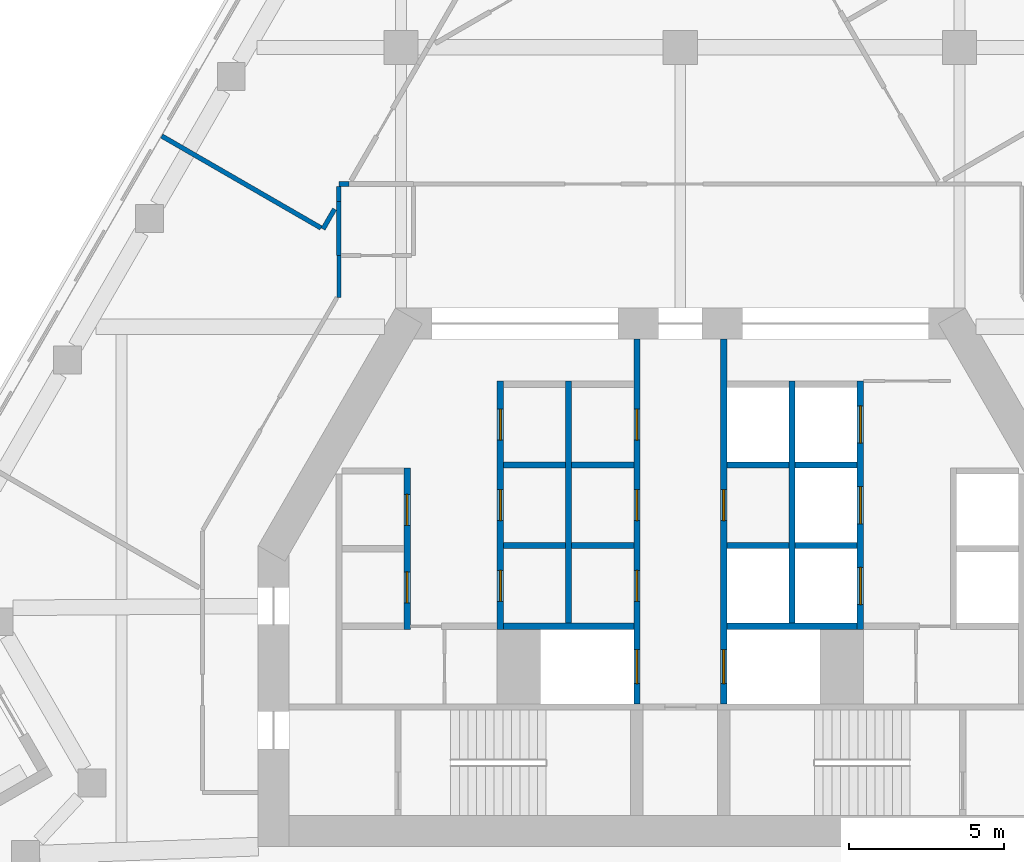
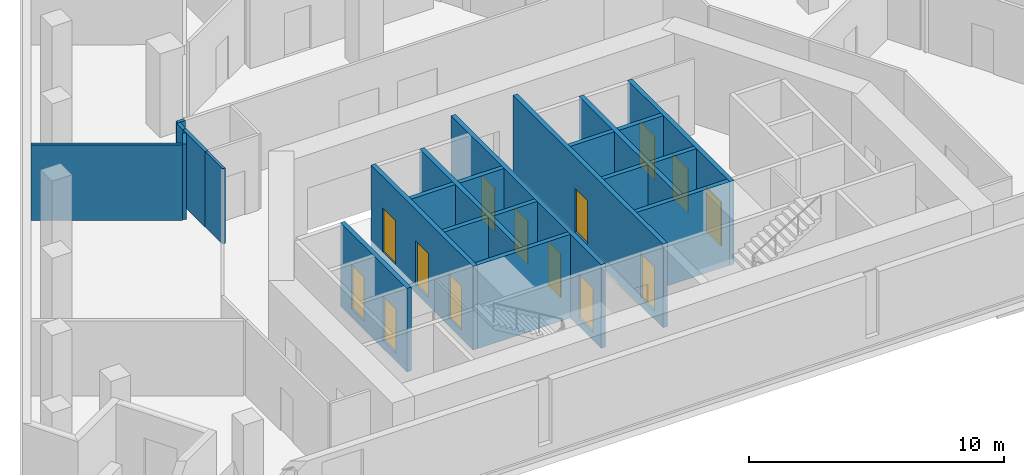
# One storey, part 3 of 8: 23 walls, 14 doors, 14 openings.
"""IFC4 building model written with IfcOpenShell, lengths in metres."""

from ifc_helpers import new_model, si_unit, direction, frame, frame_2d, origin, place, context, subcontext, project, spatial, rectangle, extrude, material, layer, layer_set, type_object, element, fill, save


model = new_model("IFC4")

# Units and contexts
model_context = context("Model", 3, precision=1e-05, world=origin(), true_north=direction((0.0, 1.0)))
body_context = subcontext(model_context, "Body", "Model", "MODEL_VIEW")
ifc_project = project(units=[si_unit("LENGTHUNIT", "METRE"), si_unit("AREAUNIT", "SQUARE_METRE"), si_unit("VOLUMEUNIT", "CUBIC_METRE"), si_unit("PLANEANGLEUNIT", "RADIAN"), si_unit("MASSUNIT", "GRAM", prefix="KILO")], contexts=[model_context])

# Site, building, storey
site_placement = place(None, origin())
site = spatial("IfcSite", under=ifc_project, at=site_placement, CompositionType="ELEMENT")
building_placement = place(site_placement, origin())
building = spatial("IfcBuilding", under=site, at=building_placement, Name="Fogline Exchange Tower", CompositionType="ELEMENT")
storey_placement = place(building_placement, frame((0.0, 0.0, 243.5)))
storey = spatial("IfcBuildingStorey", under=building, at=storey_placement, Name="L55", CompositionType="ELEMENT", Elevation=243.5)

# Walls
ifc_material_1 = material(Name="Concrete C40", Category="concrete")
ifc_layer_1 = layer(ifc_material_1, 0.199951171875)
ifc_layer_set_1 = layer_set([ifc_layer_1], Name="CW20")
wall_type_1 = type_object("IfcWallType", Name="CW20", PredefinedType="SOLIDWALL", material=ifc_layer_set_1)
for number, where, z_axis, x_axis, name in (
    (1, (-5.699951171875, 10.949951171875, 0.0), (0.0, 0.0, 1.0), (1.0, 0.0, 0.0), "Service room wall"),
    (2, (-5.699951171875, 13.550048828125, 0.0), (0.0, 0.0, 1.0), (1.0, 0.0, 0.0), "Service room wall"),
    (3, (-3.5, 10.949951171875, 0.0), (0.0, 0.0, 1.0), (1.0, 0.0, 0.0), "Service room wall"),
    (4, (-3.5, 13.550048828125, 0.0), (0.0, 0.0, 1.0), (1.0, 0.0, 0.0), "Service room wall"),
):
    element("IfcWall", number, at=place(storey_placement, frame(where, z_axis=z_axis, x_axis=x_axis)), inside=storey, type_object=wall_type_1, Name=name, PredefinedType="SOLIDWALL", context=body_context, shape_type="SweptSolid", body=[
        extrude(rectangle(XDim=2.0, YDim=0.199951171875, at=frame_2d((1.0, 0.0))), origin(), (0.0, 0.0, 1.0), 3.60009765625),
    ])

# Wall, openings, doors
ifc_layer_2 = layer(ifc_material_1, 0.199951171875)
ifc_layer_set_2 = layer_set([ifc_layer_2], Name="CW20S")
wall_type_2 = type_object("IfcWallType", Name="CW20S", PredefinedType="SOLIDWALL", material=ifc_layer_set_2)
wall_1_placement = place(storey_placement, frame((-8.800048828125, 8.25, -0.39990234375), z_axis=(0.0, 0.0, 1.0), x_axis=(0.0, 1.0, 0.0)))
wall_1 = element("IfcWall", 5, at=wall_1_placement, inside=storey, type_object=wall_type_2, Name="Lift shaft wall", PredefinedType="SOLIDWALL", context=body_context, shape_type="SweptSolid", body=[
    extrude(rectangle(XDim=5.199951171875, YDim=0.199951171875, at=frame_2d((2.60009765625, 0.0))), origin(), (0.0, 0.0, 1.0), 4.0),
])
opening_1_placement = place(wall_1_placement, frame((0.85009765625, 0.0, 0.39990234375)))
opening_1 = element("IfcOpeningElement", 6, at=opening_1_placement, cuts=wall_1, Name="Opening T17-C001", PredefinedType="OPENING", context=body_context, shape_type="SweptSolid", body=[
    extrude(rectangle(XDim=1.0, YDim=2.10009765625, at=frame_2d((0.5, 1.050048828125))), frame((0.0, 0.10986328125, 0.0), z_axis=(0.0, -1.0, 0.0), x_axis=(1.0, 0.0, 0.0)), (0.0, 0.0, 1.0), 0.219970703125),
])
opening_2_placement = place(wall_1_placement, frame((3.35009765625, 0.0, 0.39990234375)))
opening_2 = element("IfcOpeningElement", 7, at=opening_2_placement, cuts=wall_1, Name="Opening T17-C002", PredefinedType="OPENING", context=body_context, shape_type="SweptSolid", body=[
    extrude(rectangle(XDim=1.0, YDim=2.10009765625, at=frame_2d((0.5, 1.050048828125))), frame((0.0, 0.10986328125, 0.0), z_axis=(0.0, -1.0, 0.0), x_axis=(1.0, 0.0, 0.0)), (0.0, 0.0, 1.0), 0.219970703125),
])
ifc_material_2 = material(Name="Steel and timber fire door", Category="steel")
door_type_1 = type_object("IfcDoorType", Name="D-RM1", OperationType="SINGLE_SWING_LEFT", PredefinedType="DOOR", material=ifc_material_2)
door_1_placement = place(opening_1_placement, origin())
door_1 = element("IfcDoor", 8, at=door_1_placement, inside=storey, type_object=door_type_1, Name="Door to Archive Store", OperationType="SINGLE_SWING_RIGHT", OverallHeight=2.10009765625, OverallWidth=1.0, PredefinedType="DOOR", context=body_context, shape_type="SweptSolid", body=[
    extrude(rectangle(XDim=1.0, YDim=2.10009765625, at=frame_2d((0.5, 1.050048828125))), frame((0.0, 0.02490234375, 0.0), z_axis=(0.0, -1.0, 0.0), x_axis=(1.0, 0.0, 0.0)), (0.0, 0.0, 1.0), 0.050048828125),
])
fill(opening_1, door_1)
door_2_placement = place(opening_2_placement, origin())
door_2 = element("IfcDoor", 9, at=door_2_placement, inside=storey, type_object=door_type_1, Name="Door to Library Store", OperationType="SINGLE_SWING_RIGHT", OverallHeight=2.10009765625, OverallWidth=1.0, PredefinedType="DOOR", context=body_context, shape_type="SweptSolid", body=[
    extrude(rectangle(XDim=1.0, YDim=2.10009765625, at=frame_2d((0.5, 1.050048828125))), frame((0.0, 0.02490234375, 0.0), z_axis=(0.0, -1.0, 0.0), x_axis=(1.0, 0.0, 0.0)), (0.0, 0.0, 1.0), 0.050048828125),
])
fill(opening_2, door_2)

wall_2_placement = place(storey_placement, frame((-5.800048828125, 8.25, -0.39990234375), z_axis=(0.0, 0.0, 1.0), x_axis=(0.0, 1.0, 0.0)))
wall_2 = element("IfcWall", 10, at=wall_2_placement, inside=storey, type_object=wall_type_2, Name="Lift shaft wall", PredefinedType="SOLIDWALL", context=body_context, shape_type="SweptSolid", body=[
    extrude(rectangle(XDim=8.0, YDim=0.199951171875, at=frame_2d((4.0, 0.0))), origin(), (0.0, 0.0, 1.0), 4.0),
])
opening_3_placement = place(wall_2_placement, frame((0.89990234375, 0.0, 0.39990234375)))
opening_3 = element("IfcOpeningElement", 11, at=opening_3_placement, cuts=wall_2, Name="Opening T17-C003", PredefinedType="OPENING", context=body_context, shape_type="SweptSolid", body=[
    extrude(rectangle(XDim=1.0, YDim=2.10009765625, at=frame_2d((0.5, 1.050048828125))), frame((0.0, 0.10986328125, 0.0), z_axis=(0.0, -1.0, 0.0), x_axis=(1.0, 0.0, 0.0)), (0.0, 0.0, 1.0), 0.219970703125),
])
opening_4_placement = place(wall_2_placement, frame((3.5, 0.0, 0.39990234375)))
opening_4 = element("IfcOpeningElement", 12, at=opening_4_placement, cuts=wall_2, Name="Opening T17-C004", PredefinedType="OPENING", context=body_context, shape_type="SweptSolid", body=[
    extrude(rectangle(XDim=1.0, YDim=2.10009765625, at=frame_2d((0.5, 1.050048828125))), frame((0.0, 0.10986328125, 0.0), z_axis=(0.0, -1.0, 0.0), x_axis=(1.0, 0.0, 0.0)), (0.0, 0.0, 1.0), 0.219970703125),
])
opening_5_placement = place(wall_2_placement, frame((6.10009765625, 0.0, 0.39990234375)))
opening_5 = element("IfcOpeningElement", 13, at=opening_5_placement, cuts=wall_2, Name="Opening T17-C005", PredefinedType="OPENING", context=body_context, shape_type="SweptSolid", body=[
    extrude(rectangle(XDim=1.0, YDim=2.10009765625, at=frame_2d((0.5, 1.050048828125))), frame((0.0, 0.10986328125, 0.0), z_axis=(0.0, -1.0, 0.0), x_axis=(1.0, 0.0, 0.0)), (0.0, 0.0, 1.0), 0.219970703125),
])
door_3_placement = place(opening_3_placement, frame((1.0, 0.0, 0.0), z_axis=(0.0, 0.0, 1.0), x_axis=(-1.0, 0.0, 0.0)))
door_3 = element("IfcDoor", 14, at=door_3_placement, inside=storey, type_object=door_type_1, Name="Door to Stationery Store", OperationType="SINGLE_SWING_LEFT", OverallHeight=2.10009765625, OverallWidth=1.0, PredefinedType="DOOR", context=body_context, shape_type="SweptSolid", body=[
    extrude(rectangle(XDim=1.0, YDim=2.10009765625, at=frame_2d((0.5, 1.050048828125))), frame((0.0, 0.02490234375, 0.0), z_axis=(0.0, -1.0, 0.0), x_axis=(1.0, 0.0, 0.0)), (0.0, 0.0, 1.0), 0.050048828125),
])
fill(opening_3, door_3)
door_4_placement = place(opening_4_placement, frame((1.0, 0.0, 0.0), z_axis=(0.0, 0.0, 1.0), x_axis=(-1.0, 0.0, 0.0)))
door_4 = element("IfcDoor", 15, at=door_4_placement, inside=storey, type_object=door_type_1, Name="Door to Records Store", OperationType="SINGLE_SWING_RIGHT", OverallHeight=2.10009765625, OverallWidth=1.0, PredefinedType="DOOR", context=body_context, shape_type="SweptSolid", body=[
    extrude(rectangle(XDim=1.0, YDim=2.10009765625, at=frame_2d((0.5, 1.050048828125))), frame((0.0, 0.02490234375, 0.0), z_axis=(0.0, -1.0, 0.0), x_axis=(1.0, 0.0, 0.0)), (0.0, 0.0, 1.0), 0.050048828125),
])
fill(opening_4, door_4)
door_5_placement = place(opening_5_placement, frame((1.0, 0.0, 0.0), z_axis=(0.0, 0.0, 1.0), x_axis=(-1.0, 0.0, 0.0)))
door_5 = element("IfcDoor", 16, at=door_5_placement, inside=storey, type_object=door_type_1, Name="Door to Riser Room", OperationType="SINGLE_SWING_RIGHT", OverallHeight=2.10009765625, OverallWidth=1.0, PredefinedType="DOOR", context=body_context, shape_type="SweptSolid", body=[
    extrude(rectangle(XDim=1.0, YDim=2.10009765625, at=frame_2d((0.5, 1.050048828125))), frame((0.0, 0.02490234375, 0.0), z_axis=(0.0, -1.0, 0.0), x_axis=(1.0, 0.0, 0.0)), (0.0, 0.0, 1.0), 0.050048828125),
])
fill(opening_5, door_5)

wall_3_placement = place(storey_placement, frame((5.800048828125, 8.25, -0.39990234375), z_axis=(0.0, 0.0, 1.0), x_axis=(0.0, 1.0, 0.0)))
wall_3 = element("IfcWall", 17, at=wall_3_placement, inside=storey, type_object=wall_type_2, Name="Lift shaft wall", PredefinedType="SOLIDWALL", context=body_context, shape_type="SweptSolid", body=[
    extrude(rectangle(XDim=8.0, YDim=0.199951171875, at=frame_2d((4.0, 0.0))), origin(), (0.0, 0.0, 1.0), 4.0),
])
opening_6_placement = place(wall_3_placement, frame((0.800048828125, 0.0, 0.39990234375)))
opening_6 = element("IfcOpeningElement", 18, at=opening_6_placement, cuts=wall_3, Name="Opening T17-LD02", PredefinedType="OPENING", context=body_context, shape_type="SweptSolid", body=[
    extrude(rectangle(XDim=1.199951171875, YDim=2.10009765625, at=frame_2d((0.60009765625, 1.050048828125))), frame((0.0, 0.10986328125, 0.0), z_axis=(0.0, -1.0, 0.0), x_axis=(1.0, 0.0, 0.0)), (0.0, 0.0, 1.0), 0.219970703125),
])
opening_7_placement = place(wall_3_placement, frame((3.39990234375, 0.0, 0.39990234375)))
opening_7 = element("IfcOpeningElement", 19, at=opening_7_placement, cuts=wall_3, Name="Opening T17-LD03", PredefinedType="OPENING", context=body_context, shape_type="SweptSolid", body=[
    extrude(rectangle(XDim=1.199951171875, YDim=2.10009765625, at=frame_2d((0.60009765625, 1.050048828125))), frame((0.0, 0.10986328125, 0.0), z_axis=(0.0, -1.0, 0.0), x_axis=(1.0, 0.0, 0.0)), (0.0, 0.0, 1.0), 0.219970703125),
])
opening_8_placement = place(wall_3_placement, frame((6.0, 0.0, 0.39990234375)))
opening_8 = element("IfcOpeningElement", 20, at=opening_8_placement, cuts=wall_3, Name="Opening T17-LD04", PredefinedType="OPENING", context=body_context, shape_type="SweptSolid", body=[
    extrude(rectangle(XDim=1.199951171875, YDim=2.10009765625, at=frame_2d((0.60009765625, 1.050048828125))), frame((0.0, 0.10986328125, 0.0), z_axis=(0.0, -1.0, 0.0), x_axis=(1.0, 0.0, 0.0)), (0.0, 0.0, 1.0), 0.219970703125),
])
door_type_2 = type_object("IfcDoorType", Name="LD1", OperationType="SLIDING_TO_LEFT", PredefinedType="DOOR", material=ifc_material_2)
door_6_placement = place(opening_6_placement, origin())
door_6 = element("IfcDoor", 21, at=door_6_placement, inside=storey, type_object=door_type_2, Name="Landing door MR1", OperationType="SLIDING_TO_LEFT", OverallHeight=2.10009765625, OverallWidth=1.199951171875, PredefinedType="DOOR", context=body_context, shape_type="SweptSolid", body=[
    extrude(rectangle(XDim=1.199951171875, YDim=2.10009765625, at=frame_2d((0.60009765625, 1.050048828125))), frame((0.0, 0.02490234375, 0.0), z_axis=(0.0, -1.0, 0.0), x_axis=(1.0, 0.0, 0.0)), (0.0, 0.0, 1.0), 0.050048828125),
])
fill(opening_6, door_6)
door_7_placement = place(opening_7_placement, origin())
door_7 = element("IfcDoor", 22, at=door_7_placement, inside=storey, type_object=door_type_2, Name="Landing door MR2", OperationType="SLIDING_TO_LEFT", OverallHeight=2.10009765625, OverallWidth=1.199951171875, PredefinedType="DOOR", context=body_context, shape_type="SweptSolid", body=[
    extrude(rectangle(XDim=1.199951171875, YDim=2.10009765625, at=frame_2d((0.60009765625, 1.050048828125))), frame((0.0, 0.02490234375, 0.0), z_axis=(0.0, -1.0, 0.0), x_axis=(1.0, 0.0, 0.0)), (0.0, 0.0, 1.0), 0.050048828125),
])
fill(opening_7, door_7)
door_8_placement = place(opening_8_placement, origin())
door_8 = element("IfcDoor", 23, at=door_8_placement, inside=storey, type_object=door_type_2, Name="Landing door MR3", OperationType="SLIDING_TO_LEFT", OverallHeight=2.10009765625, OverallWidth=1.199951171875, PredefinedType="DOOR", context=body_context, shape_type="SweptSolid", body=[
    extrude(rectangle(XDim=1.199951171875, YDim=2.10009765625, at=frame_2d((0.60009765625, 1.050048828125))), frame((0.0, 0.02490234375, 0.0), z_axis=(0.0, -1.0, 0.0), x_axis=(1.0, 0.0, 0.0)), (0.0, 0.0, 1.0), 0.050048828125),
])
fill(opening_8, door_8)

# Walls
for number, where, z_axis, x_axis, name in (
    (24, (-3.60009765625, 8.449951171875, -0.39990234375), (0.0, 0.0, 1.0), (0.0, 1.0, 0.0), "Lift shaft wall"),
    (25, (3.60009765625, 8.449951171875, -0.39990234375), (0.0, 0.0, 1.0), (0.0, 1.0, 0.0), "Lift shaft wall"),
):
    element("IfcWall", number, at=place(storey_placement, frame(where, z_axis=z_axis, x_axis=x_axis)), inside=storey, type_object=wall_type_2, Name=name, PredefinedType="SOLIDWALL", context=body_context, shape_type="SweptSolid", body=[
        extrude(rectangle(XDim=7.800048828125, YDim=0.199951171875, at=frame_2d((3.89990234375, 0.0))), origin(), (0.0, 0.0, 1.0), 4.0),
    ])

# Wall, openings, doors
wall_4_placement = place(storey_placement, frame((-1.39990234375, 5.85009765625, -0.39990234375), z_axis=(0.0, 0.0, 1.0), x_axis=(0.0, 1.0, 0.0)))
wall_4 = element("IfcWall", 26, at=wall_4_placement, inside=storey, type_object=wall_type_2, Name="Lift lobby wall", PredefinedType="SOLIDWALL", context=body_context, shape_type="SweptSolid", body=[
    extrude(rectangle(XDim=11.75, YDim=0.199951171875, at=frame_2d((5.875, 0.0))), origin(), (0.0, 0.0, 1.0), 4.0),
])
opening_9_placement = place(wall_4_placement, frame((0.64990234375, 0.0, 0.39990234375)))
opening_9 = element("IfcOpeningElement", 27, at=opening_9_placement, cuts=wall_4, Name="Opening T17-LD01", PredefinedType="OPENING", context=body_context, shape_type="SweptSolid", body=[
    extrude(rectangle(XDim=1.10009765625, YDim=2.10009765625, at=frame_2d((0.550048828125, 1.050048828125))), frame((0.0, 0.10986328125, 0.0), z_axis=(0.0, -1.0, 0.0), x_axis=(1.0, 0.0, 0.0)), (0.0, 0.0, 1.0), 0.219970703125),
])
opening_10_placement = place(wall_4_placement, frame((3.300048828125, 0.0, 0.39990234375)))
opening_10 = element("IfcOpeningElement", 28, at=opening_10_placement, cuts=wall_4, Name="Opening T17-C006", PredefinedType="OPENING", context=body_context, shape_type="SweptSolid", body=[
    extrude(rectangle(XDim=1.0, YDim=2.10009765625, at=frame_2d((0.5, 1.050048828125))), frame((0.0, 0.10986328125, 0.0), z_axis=(0.0, -1.0, 0.0), x_axis=(1.0, 0.0, 0.0)), (0.0, 0.0, 1.0), 0.219970703125),
])
opening_11_placement = place(wall_4_placement, frame((5.89990234375, 0.0, 0.39990234375)))
opening_11 = element("IfcOpeningElement", 29, at=opening_11_placement, cuts=wall_4, Name="Opening T17-C007", PredefinedType="OPENING", context=body_context, shape_type="SweptSolid", body=[
    extrude(rectangle(XDim=1.0, YDim=2.10009765625, at=frame_2d((0.5, 1.050048828125))), frame((0.0, 0.10986328125, 0.0), z_axis=(0.0, -1.0, 0.0), x_axis=(1.0, 0.0, 0.0)), (0.0, 0.0, 1.0), 0.219970703125),
])
opening_12_placement = place(wall_4_placement, frame((8.5, 0.0, 0.39990234375)))
opening_12 = element("IfcOpeningElement", 30, at=opening_12_placement, cuts=wall_4, Name="Opening T17-C008", PredefinedType="OPENING", context=body_context, shape_type="SweptSolid", body=[
    extrude(rectangle(XDim=1.0, YDim=2.10009765625, at=frame_2d((0.5, 1.050048828125))), frame((0.0, 0.10986328125, 0.0), z_axis=(0.0, -1.0, 0.0), x_axis=(1.0, 0.0, 0.0)), (0.0, 0.0, 1.0), 0.219970703125),
])
door_9_placement = place(opening_10_placement, origin())
door_9 = element("IfcDoor", 31, at=door_9_placement, inside=storey, type_object=door_type_1, Name="Door to Plant Room", OperationType="SINGLE_SWING_LEFT", OverallHeight=2.10009765625, OverallWidth=1.0, PredefinedType="DOOR", context=body_context, shape_type="SweptSolid", body=[
    extrude(rectangle(XDim=1.0, YDim=2.10009765625, at=frame_2d((0.5, 1.050048828125))), frame((0.0, 0.02490234375, 0.0), z_axis=(0.0, -1.0, 0.0), x_axis=(1.0, 0.0, 0.0)), (0.0, 0.0, 1.0), 0.050048828125),
])
fill(opening_10, door_9)
door_10_placement = place(opening_11_placement, origin())
door_10 = element("IfcDoor", 32, at=door_10_placement, inside=storey, type_object=door_type_1, Name="Door to Cable Store", OperationType="SINGLE_SWING_LEFT", OverallHeight=2.10009765625, OverallWidth=1.0, PredefinedType="DOOR", context=body_context, shape_type="SweptSolid", body=[
    extrude(rectangle(XDim=1.0, YDim=2.10009765625, at=frame_2d((0.5, 1.050048828125))), frame((0.0, 0.02490234375, 0.0), z_axis=(0.0, -1.0, 0.0), x_axis=(1.0, 0.0, 0.0)), (0.0, 0.0, 1.0), 0.050048828125),
])
fill(opening_11, door_10)
door_11_placement = place(opening_12_placement, origin())
door_11 = element("IfcDoor", 33, at=door_11_placement, inside=storey, type_object=door_type_1, Name="Door to Server Room", OperationType="SINGLE_SWING_LEFT", OverallHeight=2.10009765625, OverallWidth=1.0, PredefinedType="DOOR", context=body_context, shape_type="SweptSolid", body=[
    extrude(rectangle(XDim=1.0, YDim=2.10009765625, at=frame_2d((0.5, 1.050048828125))), frame((0.0, 0.02490234375, 0.0), z_axis=(0.0, -1.0, 0.0), x_axis=(1.0, 0.0, 0.0)), (0.0, 0.0, 1.0), 0.050048828125),
])
fill(opening_12, door_11)
door_type_3 = type_object("IfcDoorType", Name="LD2", OperationType="SLIDING_TO_RIGHT", PredefinedType="DOOR", material=ifc_material_2)
door_12_placement = place(opening_9_placement, origin())
door_12 = element("IfcDoor", 34, at=door_12_placement, inside=storey, type_object=door_type_3, Name="Landing door FF1", OperationType="SLIDING_TO_RIGHT", OverallHeight=2.10009765625, OverallWidth=1.10009765625, PredefinedType="DOOR", context=body_context, shape_type="SweptSolid", body=[
    extrude(rectangle(XDim=1.10009765625, YDim=2.10009765625, at=frame_2d((0.550048828125, 1.050048828125))), frame((0.0, 0.02490234375, 0.0), z_axis=(0.0, -1.0, 0.0), x_axis=(1.0, 0.0, 0.0)), (0.0, 0.0, 1.0), 0.050048828125),
])
fill(opening_9, door_12)

wall_5_placement = place(storey_placement, frame((1.39990234375, 5.85009765625, -0.39990234375), z_axis=(0.0, 0.0, 1.0), x_axis=(0.0, 1.0, 0.0)))
wall_5 = element("IfcWall", 35, at=wall_5_placement, inside=storey, type_object=wall_type_2, Name="Lift lobby wall", PredefinedType="SOLIDWALL", context=body_context, shape_type="SweptSolid", body=[
    extrude(rectangle(XDim=11.75, YDim=0.199951171875, at=frame_2d((5.875, 0.0))), origin(), (0.0, 0.0, 1.0), 4.0),
])
opening_13_placement = place(wall_5_placement, frame((0.64990234375, 0.0, 0.39990234375)))
opening_13 = element("IfcOpeningElement", 36, at=opening_13_placement, cuts=wall_5, Name="Opening T17-LD05", PredefinedType="OPENING", context=body_context, shape_type="SweptSolid", body=[
    extrude(rectangle(XDim=1.10009765625, YDim=2.10009765625, at=frame_2d((0.550048828125, 1.050048828125))), frame((0.0, 0.10986328125, 0.0), z_axis=(0.0, -1.0, 0.0), x_axis=(1.0, 0.0, 0.0)), (0.0, 0.0, 1.0), 0.219970703125),
])
opening_14_placement = place(wall_5_placement, frame((5.89990234375, 0.0, 0.39990234375)))
opening_14 = element("IfcOpeningElement", 37, at=opening_14_placement, cuts=wall_5, Name="Opening T17-C009", PredefinedType="OPENING", context=body_context, shape_type="SweptSolid", body=[
    extrude(rectangle(XDim=1.0, YDim=2.10009765625, at=frame_2d((0.5, 1.050048828125))), frame((0.0, 0.10986328125, 0.0), z_axis=(0.0, -1.0, 0.0), x_axis=(1.0, 0.0, 0.0)), (0.0, 0.0, 1.0), 0.219970703125),
])
door_13_placement = place(opening_14_placement, frame((1.0, 0.0, 0.0), z_axis=(0.0, 0.0, 1.0), x_axis=(-1.0, 0.0, 0.0)))
door_13 = element("IfcDoor", 38, at=door_13_placement, inside=storey, type_object=door_type_1, Name="Door to Records Store", OperationType="SINGLE_SWING_RIGHT", OverallHeight=2.10009765625, OverallWidth=1.0, PredefinedType="DOOR", context=body_context, shape_type="SweptSolid", body=[
    extrude(rectangle(XDim=1.0, YDim=2.10009765625, at=frame_2d((0.5, 1.050048828125))), frame((0.0, 0.02490234375, 0.0), z_axis=(0.0, -1.0, 0.0), x_axis=(1.0, 0.0, 0.0)), (0.0, 0.0, 1.0), 0.050048828125),
])
fill(opening_14, door_13)
door_14_placement = place(opening_13_placement, origin())
door_14 = element("IfcDoor", 39, at=door_14_placement, inside=storey, type_object=door_type_3, Name="Landing door FF2", OperationType="SLIDING_TO_RIGHT", OverallHeight=2.10009765625, OverallWidth=1.10009765625, PredefinedType="DOOR", context=body_context, shape_type="SweptSolid", body=[
    extrude(rectangle(XDim=1.10009765625, YDim=2.10009765625, at=frame_2d((0.550048828125, 1.050048828125))), frame((0.0, 0.02490234375, 0.0), z_axis=(0.0, -1.0, 0.0), x_axis=(1.0, 0.0, 0.0)), (0.0, 0.0, 1.0), 0.050048828125),
])
fill(opening_13, door_14)

# Walls
for number, where, z_axis, x_axis, name in (
    (40, (-5.699951171875, 8.35009765625, -0.39990234375), (0.0, 0.0, 1.0), (1.0, 0.0, 0.0), "Lift shaft wall"),
    (41, (1.5, 8.35009765625, -0.39990234375), (0.0, 0.0, 1.0), (1.0, 0.0, 0.0), "Lift shaft wall"),
):
    element("IfcWall", number, at=place(storey_placement, frame(where, z_axis=z_axis, x_axis=x_axis)), inside=storey, type_object=wall_type_2, Name=name, PredefinedType="SOLIDWALL", context=body_context, shape_type="SweptSolid", body=[
        extrude(rectangle(XDim=4.199951171875, YDim=0.199951171875, at=frame_2d((2.10009765625, 0.0))), origin(), (0.0, 0.0, 1.0), 4.0),
    ])
for number, where, z_axis, x_axis, name in (
    (42, (3.699951171875, 10.949951171875, -0.39990234375), (0.0, 0.0, 1.0), (1.0, 0.0, 0.0), "Lift shaft wall"),
    (43, (3.699951171875, 13.550048828125, -0.39990234375), (0.0, 0.0, 1.0), (1.0, 0.0, 0.0), "Lift shaft wall"),
    (44, (1.5, 10.949951171875, -0.39990234375), (0.0, 0.0, 1.0), (1.0, 0.0, 0.0), "Lift shaft wall"),
    (45, (1.5, 13.550048828125, -0.39990234375), (0.0, 0.0, 1.0), (1.0, 0.0, 0.0), "Lift shaft wall"),
):
    element("IfcWall", number, at=place(storey_placement, frame(where, z_axis=z_axis, x_axis=x_axis)), inside=storey, type_object=wall_type_2, Name=name, PredefinedType="SOLIDWALL", context=body_context, shape_type="SweptSolid", body=[
        extrude(rectangle(XDim=2.0, YDim=0.199951171875, at=frame_2d((1.0, 0.0))), origin(), (0.0, 0.0, 1.0), 4.0),
    ])
ifc_material_3 = material(Name="Plasterboard corridor partition with mineral wool, 2 layers each side")
ifc_layer_3 = layer(ifc_material_3, 0.125)
ifc_layer_set_3 = layer_set([ifc_layer_3], Name="PW2")
wall_type_3 = type_object("IfcWallType", Name="PW2", PredefinedType="PARTITIONING", material=ifc_layer_set_3)
wall_6_placement = place(storey_placement, frame((-11.0, 18.940185546875, 0.0), z_axis=(0.0, 0.0, 1.0), x_axis=(0.0, 1.0, 0.0)))
element("IfcWall", 46, at=wall_6_placement, inside=storey, type_object=wall_type_3, Name="wall-L55-W010", PredefinedType="PARTITIONING", context=body_context, shape_type="SweptSolid", body=[
    extrude(rectangle(XDim=1.35986328125, YDim=0.125, at=frame_2d((0.679931640625, 0.0))), origin(), (0.0, 0.0, 1.0), 3.60009765625),
])
ifc_material_4 = material(Name="Plasterboard demising partition with mineral wool and acoustic board")
ifc_layer_4 = layer(ifc_material_4, 0.14990234375)
ifc_layer_set_4 = layer_set([ifc_layer_4], Name="PW3")
wall_type_4 = type_object("IfcWallType", Name="PW3", PredefinedType="PARTITIONING", material=ifc_layer_set_4)
wall_7_placement = place(storey_placement, frame((-10.6728515625, 22.60009765625, 0.0), z_axis=(0.0, 0.0, 1.0), x_axis=(-1.0, 0.0, 0.0)))
element("IfcWall", 47, at=wall_7_placement, inside=storey, type_object=wall_type_4, Name="wall-L55-W029", PredefinedType="PARTITIONING", context=body_context, shape_type="SweptSolid", body=[
    extrude(rectangle(XDim=0.3271484375, YDim=0.14990234375, at=frame_2d((0.16357421875, 0.0))), origin(), (0.0, 0.0, 1.0), 3.60009765625),
])
wall_8_placement = place(storey_placement, frame((-11.0, 22.52490234375, 0.0), z_axis=(0.0, 0.0, 1.0), x_axis=(0.0, -1.0, 0.0)))
element("IfcWall", 48, at=wall_8_placement, inside=storey, type_object=wall_type_4, Name="wall-L55-W030", PredefinedType="PARTITIONING", context=body_context, shape_type="SweptSolid", body=[
    extrude(rectangle(XDim=0.49169921875, YDim=0.14990234375, at=frame_2d((0.245849609375, 0.0))), origin(), (0.0, 0.0, 1.0), 3.60009765625),
])
wall_9_placement = place(storey_placement, frame((-11.14013671875, 21.79052734375, 0.0), z_axis=(0.0, 0.0, 1.0), x_axis=(-0.499987686533, -0.866032512851, 0.0)))
element("IfcWall", 49, at=wall_9_placement, inside=storey, type_object=wall_type_4, Name="wall-L55-W031", PredefinedType="PARTITIONING", context=body_context, shape_type="SweptSolid", body=[
    extrude(rectangle(XDim=0.74365234375, YDim=0.14990234375, at=frame_2d((0.371826171875, 0.0))), origin(), (0.0, 0.0, 1.0), 3.60009765625),
])
wall_10_placement = place(storey_placement, frame((-11.576904296875, 21.18408203125, 0.0), z_axis=(0.0, 0.0, 1.0), x_axis=(-0.866028447878, 0.499994727438, 0.0)))
element("IfcWall", 50, at=wall_10_placement, inside=storey, type_object=wall_type_4, Name="wall-L55-W032", PredefinedType="PARTITIONING", context=body_context, shape_type="SweptSolid", body=[
    extrude(rectangle(XDim=5.9248046875, YDim=0.14990234375, at=frame_2d((2.96240234375, 0.0))), origin(), (0.0, 0.0, 1.0), 3.60009765625),
])
wall_11_placement = place(storey_placement, frame((-11.0, 20.300048828125, 0.0), z_axis=(0.0, 0.0, 1.0), x_axis=(0.0, 1.0, 0.0)))
element("IfcWall", 51, at=wall_11_placement, inside=storey, type_object=wall_type_4, Name="wall-L55-W033", PredefinedType="PARTITIONING", context=body_context, shape_type="SweptSolid", body=[
    extrude(rectangle(XDim=1.733154296875, YDim=0.14990234375, at=frame_2d((0.86669921875, 0.0))), origin(), (0.0, 0.0, 1.0), 3.60009765625),
])

save(model, "model.ifc")
